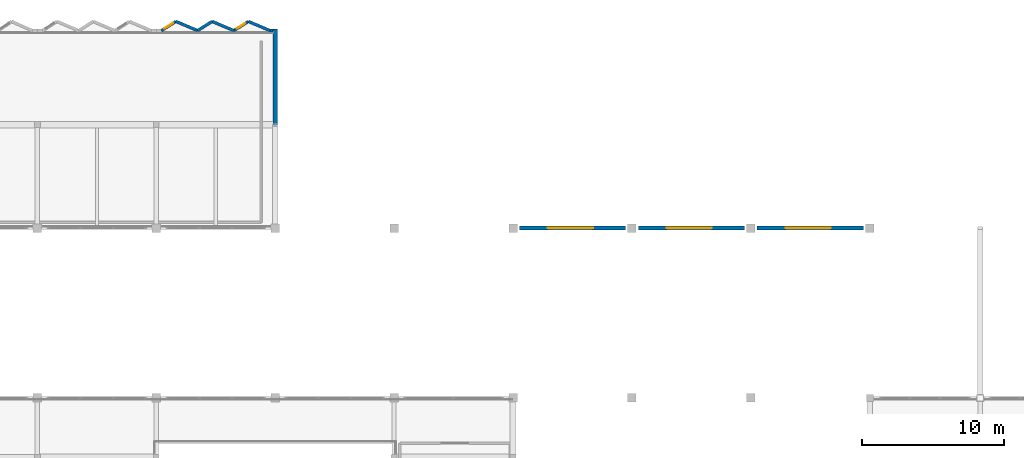
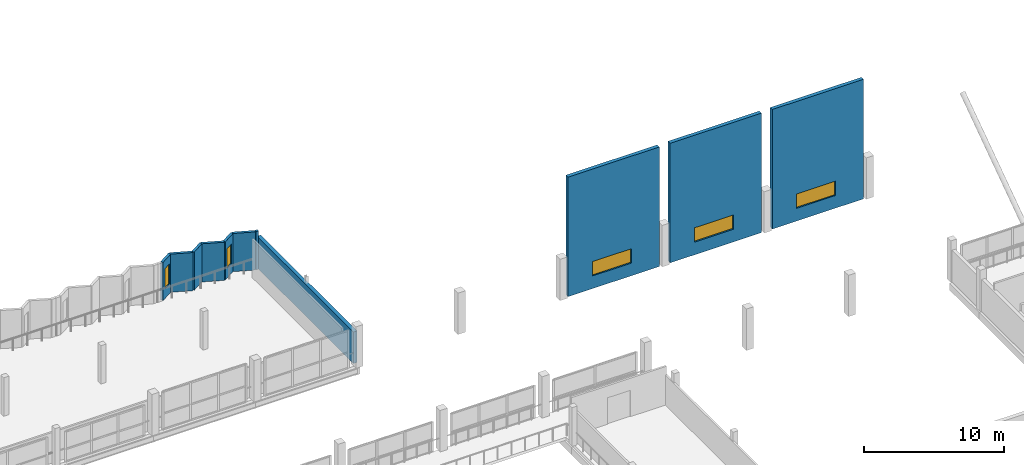
# One storey, part 41 of 51: 11 walls, 5 windows, 5 openings.
"""IFC4 building model written with IfcOpenShell, lengths in metres."""

from ifc_helpers import new_model, si_unit, direction, frame, frame_2d, origin, place, context, subcontext, project, spatial, rectangle, extrude, material, layer, layer_set, type_object, element, fill, save


model = new_model("IFC4")

# Units and contexts
model_context = context("Model", 3, precision=1e-05, world=origin(), true_north=direction((0.0, 1.0)))
body_context = subcontext(model_context, "Body", "Model", "MODEL_VIEW")
ifc_project = project(units=[si_unit("LENGTHUNIT", "METRE"), si_unit("AREAUNIT", "SQUARE_METRE"), si_unit("VOLUMEUNIT", "CUBIC_METRE"), si_unit("PLANEANGLEUNIT", "RADIAN"), si_unit("MASSUNIT", "GRAM", prefix="KILO")], contexts=[model_context])

# Site, building, storey
site_placement = place(None, origin())
site = spatial("IfcSite", under=ifc_project, at=site_placement, CompositionType="ELEMENT")
building_placement = place(site_placement, origin())
building = spatial("IfcBuilding", under=site, at=building_placement, Name="Vharandega Faculty of Natural Sciences", CompositionType="ELEMENT")
storey_placement = place(building_placement, frame((0.0, 0.0, 14.39990234375)))
storey = spatial("IfcBuildingStorey", under=building, at=storey_placement, Name="L03", CompositionType="ELEMENT", Elevation=14.39990234375)

# Wall
ifc_material_1 = material(Name="Precast concrete C40/50", Category="concrete")
ifc_layer_1 = layer(ifc_material_1, 0.2099609375, Name="Precast concrete C40/50")
ifc_layer_set_1 = layer_set([ifc_layer_1], Name="Precast concrete C40/50")
wall_type_1 = type_object("IfcWallType", Name="Commons Sawtooth Street Wall 210", PredefinedType="SOLIDWALL", material=ifc_layer_set_1)
wall_1_placement = place(storey_placement, frame((72.449951171875, 110.949951171875, 0.0), z_axis=(0.0, 0.0, 1.0), x_axis=(1.0, 0.0, 0.0)))
element("IfcWall", 1, at=wall_1_placement, inside=storey, type_object=wall_type_1, Name="Exterior Wall EW-V2SHL-L03-10R", PredefinedType="SOLIDWALL", context=body_context, shape_type="SweptSolid", body=[
    extrude(rectangle(XDim=0.205078125, YDim=0.2099609375, at=frame_2d((0.1025390625, 0.0))), origin(), (0.0, 0.0, 1.0), 3.320068359375),
])

# Wall, opening, window
wall_2_placement = place(storey_placement, frame((64.760009765625, 110.949951171875, 0.0), z_axis=(0.0, 0.0, 1.0), x_axis=(0.844199803058, 0.536028630315, 0.0)))
wall_2 = element("IfcWall", 2, at=wall_2_placement, inside=storey, type_object=wall_type_1, Name="Exterior Wall EW-V2SAW-L03-25G", PredefinedType="SOLIDWALL", context=body_context, shape_type="SweptSolid", body=[
    extrude(rectangle(XDim=1.212890625, YDim=0.2099609375, at=frame_2d((0.6064453125, 0.0))), origin(), (0.0, 0.0, 1.0), 3.320068359375),
])
opening_1_placement = place(wall_2_placement, frame((0.280029296875, 0.0, 0.85009765625)))
opening_1 = element("IfcOpeningElement", 3, at=opening_1_placement, cuts=wall_2, Name="Opening WN-08", PredefinedType="OPENING", context=body_context, shape_type="SweptSolid", body=[
    extrude(rectangle(XDim=0.699951171875, YDim=1.75, at=frame_2d((0.35009765625, 0.875))), frame((0.0, 0.114990234375, 0.0), z_axis=(0.0, -1.0, 0.0), x_axis=(1.0, 0.0, 0.0)), (0.0, 0.0, 1.0), 0.22998046875),
])
ifc_material_2 = material(Name="Double-glazed solar-control glass in thermally broken aluminium frame", Category="aluminium")
window_type_1 = type_object("IfcWindowType", Name="WIN-COM-070x175", PartitioningType="SINGLE_PANEL", PredefinedType="WINDOW", material=ifc_material_2)
window_1_placement = place(opening_1_placement, origin())
window_1 = element("IfcWindow", 4, at=window_1_placement, inside=storey, type_object=window_type_1, Name="Window WIN-L03-0194", OverallHeight=1.75, OverallWidth=0.699951171875, PartitioningType="SINGLE_PANEL", PredefinedType="WINDOW", context=body_context, shape_type="SweptSolid", body=[
    extrude(rectangle(XDim=0.699951171875, YDim=1.75, at=frame_2d((0.35009765625, 0.875))), frame((0.0, 0.030029296875, 0.0), z_axis=(0.0, -1.0, 0.0), x_axis=(1.0, 0.0, 0.0)), (0.0, 0.0, 1.0), 0.06005859375),
])
fill(opening_1, window_1)

# Walls
wall_3_placement = place(storey_placement, frame((65.783935546875, 111.60009765625, 0.0), z_axis=(0.0, 0.0, 1.0), x_axis=(0.920914721045, -0.389764129393, 0.0)))
element("IfcWall", 5, at=wall_3_placement, inside=storey, type_object=wall_type_1, Name="Exterior Wall EW-V2SAW-L03-25S", PredefinedType="SOLIDWALL", context=body_context, shape_type="SweptSolid", body=[
    extrude(rectangle(XDim=1.66796875, YDim=0.2099609375, at=frame_2d((0.833984375, 0.0))), origin(), (0.0, 0.0, 1.0), 3.320068359375),
])
wall_4_placement = place(storey_placement, frame((67.320068359375, 110.949951171875, 0.0), z_axis=(0.0, 0.0, 1.0), x_axis=(0.844199803058, 0.536028630315, 0.0)))
element("IfcWall", 6, at=wall_4_placement, inside=storey, type_object=wall_type_1, Name="Exterior Wall EW-V2SAW-L03-26G", PredefinedType="SOLIDWALL", context=body_context, shape_type="SweptSolid", body=[
    extrude(rectangle(XDim=1.212890625, YDim=0.2099609375, at=frame_2d((0.6064453125, 0.0))), origin(), (0.0, 0.0, 1.0), 3.320068359375),
])
wall_5_placement = place(storey_placement, frame((68.343994140625, 111.60009765625, 0.0), z_axis=(0.0, 0.0, 1.0), x_axis=(0.920892481687, -0.389816671234, 0.0)))
element("IfcWall", 7, at=wall_5_placement, inside=storey, type_object=wall_type_1, Name="Exterior Wall EW-V2SAW-L03-26S", PredefinedType="SOLIDWALL", context=body_context, shape_type="SweptSolid", body=[
    extrude(rectangle(XDim=1.667724609375, YDim=0.2099609375, at=frame_2d((0.833984375, 0.0))), origin(), (0.0, 0.0, 1.0), 3.320068359375),
])

# Wall, opening, window
wall_6_placement = place(storey_placement, frame((69.8798828125, 110.949951171875, 0.0), z_axis=(0.0, 0.0, 1.0), x_axis=(0.844257623592, 0.535937557003, 0.0)))
wall_6 = element("IfcWall", 8, at=wall_6_placement, inside=storey, type_object=wall_type_1, Name="Exterior Wall EW-V2SAW-L03-27G", PredefinedType="SOLIDWALL", context=body_context, shape_type="SweptSolid", body=[
    extrude(rectangle(XDim=1.213134765625, YDim=0.2099609375, at=frame_2d((0.6064453125, 0.0))), origin(), (0.0, 0.0, 1.0), 3.320068359375),
])
opening_2_placement = place(wall_6_placement, frame((0.280029296875, 0.0, 0.85009765625)))
opening_2 = element("IfcOpeningElement", 9, at=opening_2_placement, cuts=wall_6, Name="Opening WN-07", PredefinedType="OPENING", context=body_context, shape_type="SweptSolid", body=[
    extrude(rectangle(XDim=0.64990234375, YDim=1.699951171875, at=frame_2d((0.324951171875, 0.85009765625))), frame((0.0, 0.114990234375, 0.0), z_axis=(0.0, -1.0, 0.0), x_axis=(1.0, 0.0, 0.0)), (0.0, 0.0, 1.0), 0.22998046875),
])
ifc_material_3 = material(Name="Double-glazed solar-control glass in thermally broken aluminium frame", Category="aluminium")
window_type_2 = type_object("IfcWindowType", Name="WIN-COM-065x170", PartitioningType="SINGLE_PANEL", PredefinedType="WINDOW", material=ifc_material_3)
window_2_placement = place(opening_2_placement, origin())
window_2 = element("IfcWindow", 10, at=window_2_placement, inside=storey, type_object=window_type_2, Name="Window WIN-L03-0195", OverallHeight=1.699951171875, OverallWidth=0.64990234375, PartitioningType="SINGLE_PANEL", PredefinedType="WINDOW", context=body_context, shape_type="SweptSolid", body=[
    extrude(rectangle(XDim=0.64990234375, YDim=1.699951171875, at=frame_2d((0.324951171875, 0.85009765625))), frame((0.0, 0.030029296875, 0.0), z_axis=(0.0, -1.0, 0.0), x_axis=(1.0, 0.0, 0.0)), (0.0, 0.0, 1.0), 0.06005859375),
])
fill(opening_2, window_2)

# Walls
wall_7_placement = place(storey_placement, frame((70.904052734375, 111.60009765625, 0.0), z_axis=(0.0, 0.0, 1.0), x_axis=(0.920892481687, -0.389816671234, 0.0)))
element("IfcWall", 11, at=wall_7_placement, inside=storey, type_object=wall_type_1, Name="Exterior Wall EW-V2SAW-L03-27S", PredefinedType="SOLIDWALL", context=body_context, shape_type="SweptSolid", body=[
    extrude(rectangle(XDim=1.667724609375, YDim=0.2099609375, at=frame_2d((0.833984375, 0.0))), origin(), (0.0, 0.0, 1.0), 3.320068359375),
])
ifc_material_4 = material(Name="Precast concrete C40/50", Category="concrete")
ifc_layer_2 = layer(ifc_material_4, 0.300048828125, Name="Precast concrete C40/50")
ifc_layer_set_2 = layer_set([ifc_layer_2], Name="Precast concrete C40/50")
wall_type_2 = type_object("IfcWallType", Name="Polychrome Precast Facade Wall 300", PredefinedType="SOLIDWALL", material=ifc_layer_set_2)
wall_8_placement = place(storey_placement, frame((72.800048828125, 111.054931640625, 0.0), z_axis=(0.0, 0.0, 1.0), x_axis=(0.0, -1.0, 0.0)))
element("IfcWall", 12, at=wall_8_placement, inside=storey, type_object=wall_type_2, Name="Exterior Wall EW-V2E-L03", PredefinedType="SOLIDWALL", context=body_context, shape_type="SweptSolid", body=[
    extrude(rectangle(XDim=13.7568359375, YDim=0.300048828125, at=frame_2d((6.87841796875, 0.0))), origin(), (0.0, 0.0, 1.0), 2.739990234375),
])

# Wall, opening, window
wall_9_placement = place(storey_placement, frame((90.050048828125, 97.0, 0.0), z_axis=(0.0, 0.0, 1.0), x_axis=(1.0, 0.0, 0.0)))
wall_9 = element("IfcWall", 13, at=wall_9_placement, inside=storey, type_object=wall_type_2, Name="Exterior Wall EW-L03-V1N-1", PredefinedType="SOLIDWALL", context=body_context, shape_type="SweptSolid", body=[
    extrude(rectangle(XDim=7.5, YDim=0.300048828125, at=frame_2d((3.75, 0.0))), origin(), (0.0, 0.0, 1.0), 10.400146484375),
])
opening_3_placement = place(wall_9_placement, frame((2.0, 0.0, 1.10009765625)))
opening_3 = element("IfcOpeningElement", 14, at=opening_3_placement, cuts=wall_9, Name="Opening SK-02", PredefinedType="OPENING", context=body_context, shape_type="SweptSolid", body=[
    extrude(rectangle(XDim=3.199951171875, YDim=1.25, at=frame_2d((1.60009765625, 0.625))), frame((0.0, 0.16015625, 0.0), z_axis=(0.0, -1.0, 0.0), x_axis=(1.0, 0.0, 0.0)), (0.0, 0.0, 1.0), 0.320068359375),
])
ifc_material_5 = material(Name="Double-glazed solar-control glass in thermally broken aluminium frame", Category="aluminium")
window_type_3 = type_object("IfcWindowType", Name="SKY-CLR-320x125", PartitioningType="DOUBLE_PANEL_VERTICAL", PredefinedType="SKYLIGHT", material=ifc_material_5)
window_3_placement = place(opening_3_placement, origin())
window_3 = element("IfcWindow", 15, at=window_3_placement, inside=storey, type_object=window_type_3, Name="Window WIN-L03-0204", OverallHeight=1.25, OverallWidth=3.199951171875, PartitioningType="SINGLE_PANEL", PredefinedType="SKYLIGHT", context=body_context, shape_type="SweptSolid", body=[
    extrude(rectangle(XDim=3.199951171875, YDim=1.25, at=frame_2d((1.60009765625, 0.625))), frame((0.0, 0.030029296875, 0.0), z_axis=(0.0, -1.0, 0.0), x_axis=(1.0, 0.0, 0.0)), (0.0, 0.0, 1.0), 0.06005859375),
])
fill(opening_3, window_3)

wall_10_placement = place(storey_placement, frame((98.449951171875, 97.0, 0.0), z_axis=(0.0, 0.0, 1.0), x_axis=(1.0, 0.0, 0.0)))
wall_10 = element("IfcWall", 16, at=wall_10_placement, inside=storey, type_object=wall_type_2, Name="Exterior Wall EW-L03-V1N-2", PredefinedType="SOLIDWALL", context=body_context, shape_type="SweptSolid", body=[
    extrude(rectangle(XDim=7.5, YDim=0.300048828125, at=frame_2d((3.75, 0.0))), origin(), (0.0, 0.0, 1.0), 10.400146484375),
])
opening_4_placement = place(wall_10_placement, frame((2.0, 0.0, 1.10009765625)))
opening_4 = element("IfcOpeningElement", 17, at=opening_4_placement, cuts=wall_10, Name="Opening SK-02", PredefinedType="OPENING", context=body_context, shape_type="SweptSolid", body=[
    extrude(rectangle(XDim=3.199951171875, YDim=1.25, at=frame_2d((1.60009765625, 0.625))), frame((0.0, 0.16015625, 0.0), z_axis=(0.0, -1.0, 0.0), x_axis=(1.0, 0.0, 0.0)), (0.0, 0.0, 1.0), 0.320068359375),
])
window_4_placement = place(opening_4_placement, origin())
window_4 = element("IfcWindow", 18, at=window_4_placement, inside=storey, type_object=window_type_3, Name="Window WIN-L03-0205", OverallHeight=1.25, OverallWidth=3.199951171875, PartitioningType="SINGLE_PANEL", PredefinedType="SKYLIGHT", context=body_context, shape_type="SweptSolid", body=[
    extrude(rectangle(XDim=3.199951171875, YDim=1.25, at=frame_2d((1.60009765625, 0.625))), frame((0.0, 0.030029296875, 0.0), z_axis=(0.0, -1.0, 0.0), x_axis=(1.0, 0.0, 0.0)), (0.0, 0.0, 1.0), 0.06005859375),
])
fill(opening_4, window_4)

wall_11_placement = place(storey_placement, frame((106.85009765625, 97.0, 0.0), z_axis=(0.0, 0.0, 1.0), x_axis=(1.0, 0.0, 0.0)))
wall_11 = element("IfcWall", 19, at=wall_11_placement, inside=storey, type_object=wall_type_2, Name="Exterior Wall EW-L03-V1N-3", PredefinedType="SOLIDWALL", context=body_context, shape_type="SweptSolid", body=[
    extrude(rectangle(XDim=7.5, YDim=0.300048828125, at=frame_2d((3.75, 0.0))), origin(), (0.0, 0.0, 1.0), 10.400146484375),
])
opening_5_placement = place(wall_11_placement, frame((2.0, 0.0, 1.10009765625)))
opening_5 = element("IfcOpeningElement", 20, at=opening_5_placement, cuts=wall_11, Name="Opening SK-02", PredefinedType="OPENING", context=body_context, shape_type="SweptSolid", body=[
    extrude(rectangle(XDim=3.199951171875, YDim=1.25, at=frame_2d((1.60009765625, 0.625))), frame((0.0, 0.16015625, 0.0), z_axis=(0.0, -1.0, 0.0), x_axis=(1.0, 0.0, 0.0)), (0.0, 0.0, 1.0), 0.320068359375),
])
window_5_placement = place(opening_5_placement, origin())
window_5 = element("IfcWindow", 21, at=window_5_placement, inside=storey, type_object=window_type_3, Name="Window WIN-L03-0206", OverallHeight=1.25, OverallWidth=3.199951171875, PartitioningType="SINGLE_PANEL", PredefinedType="SKYLIGHT", context=body_context, shape_type="SweptSolid", body=[
    extrude(rectangle(XDim=3.199951171875, YDim=1.25, at=frame_2d((1.60009765625, 0.625))), frame((0.0, 0.030029296875, 0.0), z_axis=(0.0, -1.0, 0.0), x_axis=(1.0, 0.0, 0.0)), (0.0, 0.0, 1.0), 0.06005859375),
])
fill(opening_5, window_5)

save(model, "model.ifc")
